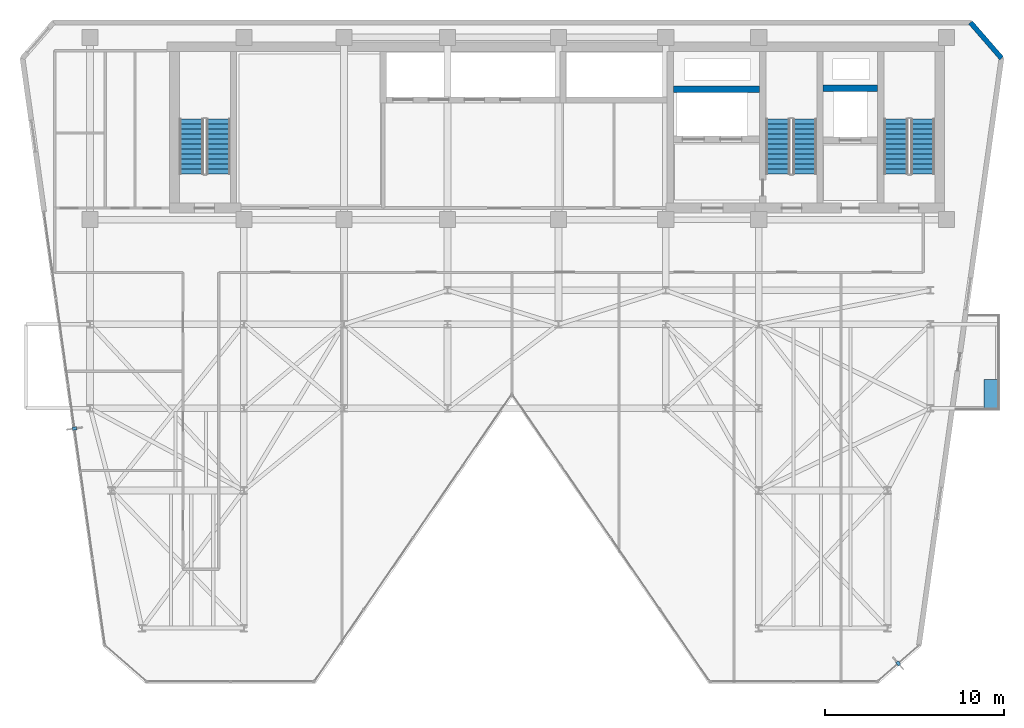
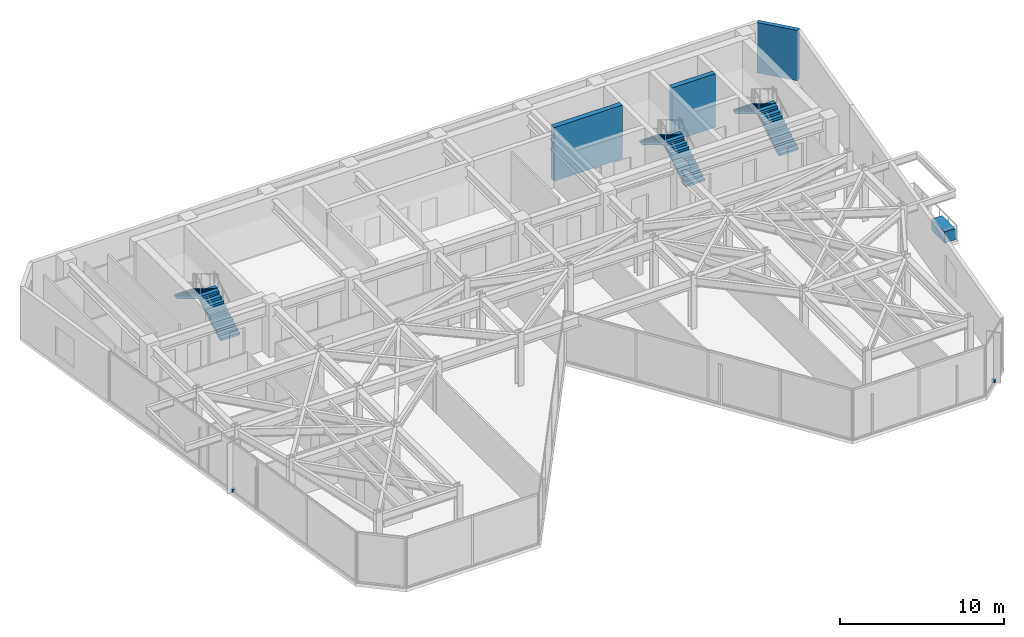
# One storey, part 24 of 26: 6 stair flights, 3 discrete accessories, 3 walls, 3 elements without a shape of their own.
"""IFC4 building model written with IfcOpenShell, lengths in metres."""

from ifc_helpers import new_model, si_unit, direction, frame, frame_2d, origin, origin_2d, place, context, subcontext, project, spatial, polyline, rectangle, outline, extrude, material, layer, layer_set, type_object, element, aggregate, save


model = new_model("IFC4")

# Units and contexts
model_context = context("Model", 3, precision=1e-05, world=origin(), true_north=direction((0.0, 1.0)))
body_context = subcontext(model_context, "Body", "Model", "MODEL_VIEW")
ifc_project = project(units=[si_unit("LENGTHUNIT", "METRE"), si_unit("AREAUNIT", "SQUARE_METRE"), si_unit("VOLUMEUNIT", "CUBIC_METRE"), si_unit("PLANEANGLEUNIT", "RADIAN"), si_unit("MASSUNIT", "GRAM", prefix="KILO")], contexts=[model_context])

# Site, building, storey
site_placement = place(None, origin())
site = spatial("IfcSite", under=ifc_project, at=site_placement, CompositionType="ELEMENT")
building_placement = place(site_placement, origin())
building = spatial("IfcBuilding", under=site, at=building_placement, Name="Kravanh Interchange Tower", CompositionType="ELEMENT")
storey_placement = place(building_placement, frame((0.0, 0.0, 212.5)))
storey = spatial("IfcBuildingStorey", under=building, at=storey_placement, Name="L51", CompositionType="ELEMENT", Elevation=212.5)

# Walls
ifc_material_1 = material(Name="Concrete C60/75", Category="concrete")
ifc_layer_1 = layer(ifc_material_1, 0.35009765625)
ifc_layer_set_1 = layer_set([ifc_layer_1], Name="Core Shear Wall Concrete C60/75 350mm")
wall_type_1 = type_object("IfcWallType", Name="Core Shear Wall Concrete C60/75 350mm", PredefinedType="SHEAR", material=ifc_layer_set_1)
wall_1_placement = place(storey_placement, frame((59.60009765625, 44.699951171875, 0.0), z_axis=(0.0, 0.0, 1.0), x_axis=(1.0, 0.0, 0.0)))
element("IfcWall", 1, at=wall_1_placement, inside=storey, type_object=wall_type_1, Name="L51 Service Lift Shaft North Wall", PredefinedType="SHEAR", context=body_context, shape_type="SweptSolid", body=[
    extrude(rectangle(XDim=3.0498046875, YDim=0.35009765625, at=frame_2d((1.52490234375, 0.0))), origin(), (0.0, 0.0, 1.0), 4.0),
])
wall_2_placement = place(storey_placement, frame((51.22509765625, 44.64990234375, 0.0), z_axis=(0.0, 0.0, 1.0), x_axis=(1.0, 0.0, 0.0)))
element("IfcWall", 2, at=wall_2_placement, inside=storey, type_object=wall_type_1, Name="L51 Fire Lift Shaft North Wall", PredefinedType="SHEAR", context=body_context, shape_type="SweptSolid", body=[
    extrude(rectangle(XDim=4.824951171875, YDim=0.35009765625, at=frame_2d((2.41259765625, 0.0))), origin(), (0.0, 0.0, 1.0), 4.0),
])
ifc_material_2 = material(Name="Insulated Precast Concrete C40/50 with Bronze Cladding", Category="concrete")
ifc_layer_2 = layer(ifc_material_2, 0.280029296875)
ifc_layer_set_2 = layer_set([ifc_layer_2], Name="Exterior Insulated Concrete C40/50 Bronze Spandrel Wall 280mm")
wall_type_2 = type_object("IfcWallType", Name="Exterior Insulated Concrete C40/50 Bronze Spandrel Wall 280mm", PredefinedType="STANDARD", material=ifc_layer_set_2)
wall_3_placement = place(storey_placement, frame((67.84521484375, 48.3798828125, 0.0), z_axis=(0.0, 0.0, 1.0), x_axis=(0.656071351282, -0.754698868442, 0.0)))
element("IfcWall", 3, at=wall_3_placement, inside=storey, type_object=wall_type_2, Name="L51 Exterior Wall 4", PredefinedType="STANDARD", context=body_context, shape_type="SweptSolid", body=[
    extrude(rectangle(XDim=2.646240234375, YDim=0.280029296875, at=frame_2d((1.3232421875, 0.0))), origin(), (0.0, 0.0, 1.0), 3.7548828125),
])

# Stair, stair flights
ifc_material_3 = material(Name="Concrete C50/60", Category="concrete")
stair_type = type_object("IfcStairType", Name="Core Fire Exit Dogleg Stair Concrete C50/60", PredefinedType="HALF_TURN_STAIR", material=ifc_material_3)
stair_1_placement = place(storey_placement, origin())
stair_1 = element("IfcStair", 4, at=stair_1_placement, inside=storey, type_object=stair_type, Name="L51 Exit Stair ST1", PredefinedType="HALF_TURN_STAIR")
ifc_material_4 = material(Name="Precast Concrete C50/60", Category="concrete")
ifc_layer_3 = layer(ifc_material_4, 0.199951171875)
ifc_layer_set_3 = layer_set([ifc_layer_3], Name="Precast Concrete C50/60 Stair Flight 1350mm")
stair_flight_type = type_object("IfcStairFlightType", Name="Precast Concrete C50/60 Stair Flight 1350mm", PredefinedType="STRAIGHT", material=ifc_layer_set_3)
stair_flight_1_placement = place(storey_placement, frame((65.175048828125, 39.89990234375, 0.0), z_axis=(0.0, 0.0, 1.0), x_axis=(0.0, 1.0, 0.0)))
stair_flight_1 = element("IfcStairFlight", 5, at=stair_flight_1_placement, type_object=stair_flight_type, Name="ST1 flight 1", NumberOfRisers=12, NumberOfTreads=11, PredefinedType="STRAIGHT", RiserHeight=0.166666667, TreadLength=0.28, context=body_context, shape_type="SweptSolid", body=[
    extrude(outline(polyline([(0.0, 0.0), (0.0, 0.166748046875), (0.280029296875, 0.166748046875), (0.280029296875, 0.333251953125), (0.56005859375, 0.333251953125), (0.56005859375, 0.5), (0.840087890625, 0.5), (0.840087890625, 0.666748046875), (1.1201171875, 0.666748046875), (1.1201171875, 0.833251953125), (1.39990234375, 0.833251953125), (1.39990234375, 1.0), (1.679931640625, 1.0), (1.679931640625, 1.166748046875), (1.9599609375, 1.166748046875), (1.9599609375, 1.333251953125), (2.239990234375, 1.333251953125), (2.239990234375, 1.5), (2.52001953125, 1.5), (2.52001953125, 1.666748046875), (2.800048828125, 1.666748046875), (2.800048828125, 1.833251953125), (3.080078125, 1.833251953125), (3.080078125, 2.0), (3.080078125, 1.658935546875), (0.29296875, 0.0), (0.0, 0.0)])), frame((0.0, 0.675048828125, 0.0), z_axis=(0.0, -1.0, 0.0), x_axis=(1.0, 0.0, 0.0)), (0.0, 0.0, 1.0), 1.35009765625),
])
stair_flight_2_placement = place(storey_placement, frame((63.675048828125, 42.97998046875, 2.0), z_axis=(0.0, 0.0, 1.0), x_axis=(0.0, -1.0, 0.0)))
stair_flight_2 = element("IfcStairFlight", 6, at=stair_flight_2_placement, type_object=stair_flight_type, Name="ST1 flight 2", NumberOfRisers=12, NumberOfTreads=11, PredefinedType="STRAIGHT", RiserHeight=0.166666667, TreadLength=0.28, context=body_context, shape_type="SweptSolid", body=[
    extrude(outline(polyline([(0.0, 0.0), (0.0, 0.166748046875), (0.280029296875, 0.166748046875), (0.280029296875, 0.333251953125), (0.56005859375, 0.333251953125), (0.56005859375, 0.5), (0.840087890625, 0.5), (0.840087890625, 0.666748046875), (1.1201171875, 0.666748046875), (1.1201171875, 0.833251953125), (1.39990234375, 0.833251953125), (1.39990234375, 1.0), (1.679931640625, 1.0), (1.679931640625, 1.166748046875), (1.9599609375, 1.166748046875), (1.9599609375, 1.333251953125), (2.239990234375, 1.333251953125), (2.239990234375, 1.5), (2.52001953125, 1.5), (2.52001953125, 1.666748046875), (2.800048828125, 1.666748046875), (2.800048828125, 1.833251953125), (3.080078125, 1.833251953125), (3.080078125, 2.0), (3.080078125, 1.658935546875), (0.29296875, 0.0), (0.0, 0.0)])), frame((0.0, 0.675048828125, 0.0), z_axis=(0.0, -1.0, 0.0), x_axis=(1.0, 0.0, 0.0)), (0.0, 0.0, 1.0), 1.35009765625),
])
aggregate(stair_1, [stair_flight_1, stair_flight_2])

stair_2_placement = place(storey_placement, origin())
stair_2 = element("IfcStair", 7, at=stair_2_placement, inside=storey, type_object=stair_type, Name="L51 Exit Stair ST2", PredefinedType="HALF_TURN_STAIR")
stair_flight_3_placement = place(storey_placement, frame((58.574951171875, 39.89990234375, 0.0), z_axis=(0.0, 0.0, 1.0), x_axis=(0.0, 1.0, 0.0)))
stair_flight_3 = element("IfcStairFlight", 8, at=stair_flight_3_placement, type_object=stair_flight_type, Name="ST2 flight 1", NumberOfRisers=12, NumberOfTreads=11, PredefinedType="STRAIGHT", RiserHeight=0.166666667, TreadLength=0.28, context=body_context, shape_type="SweptSolid", body=[
    extrude(outline(polyline([(0.0, 0.0), (0.0, 0.166748046875), (0.280029296875, 0.166748046875), (0.280029296875, 0.333251953125), (0.56005859375, 0.333251953125), (0.56005859375, 0.5), (0.840087890625, 0.5), (0.840087890625, 0.666748046875), (1.1201171875, 0.666748046875), (1.1201171875, 0.833251953125), (1.39990234375, 0.833251953125), (1.39990234375, 1.0), (1.679931640625, 1.0), (1.679931640625, 1.166748046875), (1.9599609375, 1.166748046875), (1.9599609375, 1.333251953125), (2.239990234375, 1.333251953125), (2.239990234375, 1.5), (2.52001953125, 1.5), (2.52001953125, 1.666748046875), (2.800048828125, 1.666748046875), (2.800048828125, 1.833251953125), (3.080078125, 1.833251953125), (3.080078125, 2.0), (3.080078125, 1.658935546875), (0.29296875, 0.0), (0.0, 0.0)])), frame((0.0, 0.675048828125, 0.0), z_axis=(0.0, -1.0, 0.0), x_axis=(1.0, 0.0, 0.0)), (0.0, 0.0, 1.0), 1.35009765625),
])
stair_flight_4_placement = place(storey_placement, frame((57.074951171875, 42.97998046875, 2.0), z_axis=(0.0, 0.0, 1.0), x_axis=(0.0, -1.0, 0.0)))
stair_flight_4 = element("IfcStairFlight", 9, at=stair_flight_4_placement, type_object=stair_flight_type, Name="ST2 flight 2", NumberOfRisers=12, NumberOfTreads=11, PredefinedType="STRAIGHT", RiserHeight=0.166666667, TreadLength=0.28, context=body_context, shape_type="SweptSolid", body=[
    extrude(outline(polyline([(0.0, 0.0), (0.0, 0.166748046875), (0.280029296875, 0.166748046875), (0.280029296875, 0.333251953125), (0.56005859375, 0.333251953125), (0.56005859375, 0.5), (0.840087890625, 0.5), (0.840087890625, 0.666748046875), (1.1201171875, 0.666748046875), (1.1201171875, 0.833251953125), (1.39990234375, 0.833251953125), (1.39990234375, 1.0), (1.679931640625, 1.0), (1.679931640625, 1.166748046875), (1.9599609375, 1.166748046875), (1.9599609375, 1.333251953125), (2.239990234375, 1.333251953125), (2.239990234375, 1.5), (2.52001953125, 1.5), (2.52001953125, 1.666748046875), (2.800048828125, 1.666748046875), (2.800048828125, 1.833251953125), (3.080078125, 1.833251953125), (3.080078125, 2.0), (3.080078125, 1.658935546875), (0.29296875, 0.0), (0.0, 0.0)])), frame((0.0, 0.675048828125, 0.0), z_axis=(0.0, -1.0, 0.0), x_axis=(1.0, 0.0, 0.0)), (0.0, 0.0, 1.0), 1.35009765625),
])
aggregate(stair_2, [stair_flight_3, stair_flight_4])

stair_3_placement = place(storey_placement, origin())
stair_3 = element("IfcStair", 10, at=stair_3_placement, inside=storey, type_object=stair_type, Name="L51 Exit Stair ST3", PredefinedType="HALF_TURN_STAIR")
stair_flight_5_placement = place(storey_placement, frame((25.77490234375, 39.89990234375, 0.0), z_axis=(0.0, 0.0, 1.0), x_axis=(0.0, 1.0, 0.0)))
stair_flight_5 = element("IfcStairFlight", 11, at=stair_flight_5_placement, type_object=stair_flight_type, Name="ST3 flight 1", NumberOfRisers=12, NumberOfTreads=11, PredefinedType="STRAIGHT", RiserHeight=0.166666667, TreadLength=0.28, context=body_context, shape_type="SweptSolid", body=[
    extrude(outline(polyline([(0.0, 0.0), (0.0, 0.166748046875), (0.280029296875, 0.166748046875), (0.280029296875, 0.333251953125), (0.56005859375, 0.333251953125), (0.56005859375, 0.5), (0.840087890625, 0.5), (0.840087890625, 0.666748046875), (1.1201171875, 0.666748046875), (1.1201171875, 0.833251953125), (1.39990234375, 0.833251953125), (1.39990234375, 1.0), (1.679931640625, 1.0), (1.679931640625, 1.166748046875), (1.9599609375, 1.166748046875), (1.9599609375, 1.333251953125), (2.239990234375, 1.333251953125), (2.239990234375, 1.5), (2.52001953125, 1.5), (2.52001953125, 1.666748046875), (2.800048828125, 1.666748046875), (2.800048828125, 1.833251953125), (3.080078125, 1.833251953125), (3.080078125, 2.0), (3.080078125, 1.658935546875), (0.29296875, 0.0), (0.0, 0.0)])), frame((0.0, 0.675048828125, 0.0), z_axis=(0.0, -1.0, 0.0), x_axis=(1.0, 0.0, 0.0)), (0.0, 0.0, 1.0), 1.35009765625),
])
stair_flight_6_placement = place(storey_placement, frame((24.27490234375, 42.97998046875, 2.0), z_axis=(0.0, 0.0, 1.0), x_axis=(0.0, -1.0, 0.0)))
stair_flight_6 = element("IfcStairFlight", 12, at=stair_flight_6_placement, type_object=stair_flight_type, Name="ST3 flight 2", NumberOfRisers=12, NumberOfTreads=11, PredefinedType="STRAIGHT", RiserHeight=0.166666667, TreadLength=0.28, context=body_context, shape_type="SweptSolid", body=[
    extrude(outline(polyline([(0.0, 0.0), (0.0, 0.166748046875), (0.280029296875, 0.166748046875), (0.280029296875, 0.333251953125), (0.56005859375, 0.333251953125), (0.56005859375, 0.5), (0.840087890625, 0.5), (0.840087890625, 0.666748046875), (1.1201171875, 0.666748046875), (1.1201171875, 0.833251953125), (1.39990234375, 0.833251953125), (1.39990234375, 1.0), (1.679931640625, 1.0), (1.679931640625, 1.166748046875), (1.9599609375, 1.166748046875), (1.9599609375, 1.333251953125), (2.239990234375, 1.333251953125), (2.239990234375, 1.5), (2.52001953125, 1.5), (2.52001953125, 1.666748046875), (2.800048828125, 1.666748046875), (2.800048828125, 1.833251953125), (3.080078125, 1.833251953125), (3.080078125, 2.0), (3.080078125, 1.658935546875), (0.29296875, 0.0), (0.0, 0.0)])), frame((0.0, 0.675048828125, 0.0), z_axis=(0.0, -1.0, 0.0), x_axis=(1.0, 0.0, 0.0)), (0.0, 0.0, 1.0), 1.35009765625),
])
aggregate(stair_3, [stair_flight_5, stair_flight_6])

# Discrete accessories
ifc_material_5 = material(Name="Stainless Steel 316", Category="steel")
discrete_accessory_type_1 = type_object("IfcDiscreteAccessoryType", Name="Solar Fin Curtain-Wall Mounting Bracket Stainless 316", PredefinedType="BRACKET", material=ifc_material_5)
for number, where, z_axis, x_axis, name in (
    (13, (17.729736328125, 25.67041015625, 0.0), (0.0, 0.0, 1.0), (-0.990268182791, -0.139172289451, 0.0), "L51 Solar Fin Mounting Bracket 1"),
    (14, (63.80322265625, 12.530517578125, 0.0), (0.0, 0.0, 1.0), (0.656059988016, -0.754708746554, 0.0), "L51 Solar Fin Mounting Bracket 2"),
):
    element("IfcDiscreteAccessory", number, at=place(storey_placement, frame(where, z_axis=z_axis, x_axis=x_axis)), inside=storey, type_object=discrete_accessory_type_1, Name=name, PredefinedType="BRACKET", context=body_context, shape_type="SweptSolid", body=[
        extrude(rectangle(XDim=0.239990234375, YDim=0.179931640625, at=origin_2d()), origin(), (0.0, 0.0, 1.0), 0.219970703125),
    ])
ifc_material_6 = material(Name="Architectural GRC Concrete C40/50 with Root Barrier", Category="concrete")
discrete_accessory_type_2 = type_object("IfcDiscreteAccessoryType", Name="Structural Balcony Tree Planter Box Concrete C40/50 1600x750x850", PredefinedType="USERDEFINED", material=ifc_material_6)
discrete_accessory_placement = place(storey_placement, frame((68.969970703125, 27.6201171875, 0.0), z_axis=(0.0, 0.0, 1.0), x_axis=(1.0, 0.0, 0.0)))
element("IfcDiscreteAccessory", 15, at=discrete_accessory_placement, inside=storey, type_object=discrete_accessory_type_2, Name="L51 E Balcony TREE PLANTER", ObjectType="PLANTER", PredefinedType="USERDEFINED", context=body_context, shape_type="SweptSolid", body=[
    extrude(rectangle(XDim=0.75, YDim=1.60009765625, at=origin_2d()), origin(), (0.0, 0.0, 1.0), 0.85009765625),
])

save(model, "model.ifc")
